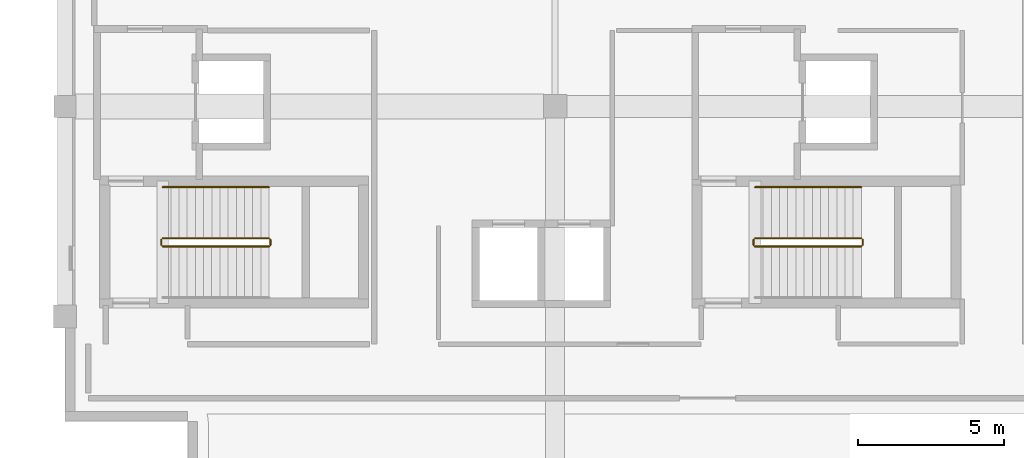
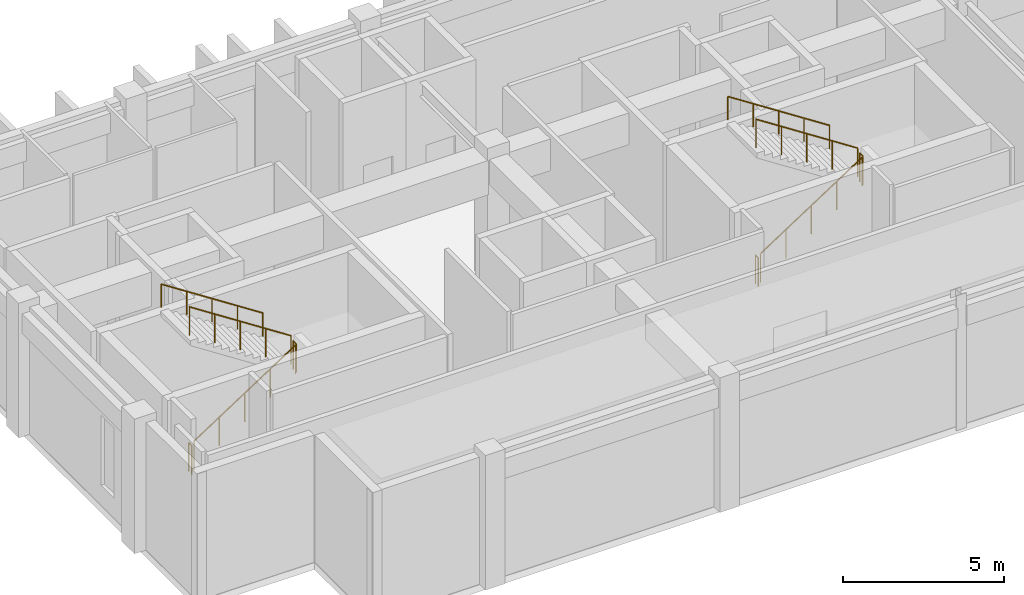
# One storey, part 33 of 34: 10 railings.
"""IFC4 building model written with IfcOpenShell, lengths in metres."""

from ifc_helpers import new_model, si_unit, direction, frame, origin, origin_2d, place, context, subcontext, project, spatial, circle, extrude, material, type_object, element, save


model = new_model("IFC4")

# Units and contexts
model_context = context("Model", 3, precision=1e-05, world=origin(), true_north=direction((0.0, 1.0)))
body_context = subcontext(model_context, "Body", "Model", "MODEL_VIEW")
ifc_project = project(units=[si_unit("LENGTHUNIT", "METRE"), si_unit("AREAUNIT", "SQUARE_METRE"), si_unit("VOLUMEUNIT", "CUBIC_METRE"), si_unit("PLANEANGLEUNIT", "RADIAN"), si_unit("MASSUNIT", "GRAM", prefix="KILO")], contexts=[model_context])

# Site, building, storey
site_placement = place(None, origin())
site = spatial("IfcSite", under=ifc_project, at=site_placement, CompositionType="ELEMENT")
building_placement = place(site_placement, origin())
building = spatial("IfcBuilding", under=site, at=building_placement, Name="Quendrovan Civic Courthouse", CompositionType="ELEMENT")
storey_placement = place(building_placement, frame((0.0, 0.0, 25.5)))
storey = spatial("IfcBuildingStorey", under=building, at=storey_placement, Name="L06", CompositionType="ELEMENT", Elevation=25.5)

# Railings
ifc_material_1 = material(Name="Painted galvanized steel", Category="steel")
railing_type_1 = type_object("IfcRailingType", Name="RL-STR-GUARD1100", PredefinedType="GUARDRAIL", material=ifc_material_1)
railing_1_placement = place(storey_placement, frame((36.949951171875, 97.199951171875, 0.18212890625)))
element("IfcRailing", 1, at=railing_1_placement, inside=storey, type_object=railing_type_1, Name="L06 ST1 stair guard 1", PredefinedType="GUARDRAIL", context=body_context, shape_type="SweptSolid", body=[
    extrude(circle(Radius=0.02392578125, at=origin_2d()), frame((0.0, 0.0, 1.076171875), z_axis=(0.83825089185, 0.0, 0.545284735081), x_axis=(0.0, 1.0, 0.0)), (0.0, 0.0, 1.0), 4.342529296875),
    extrude(circle(Radius=0.02099609375, at=origin_2d()), origin(), (0.0, 0.0, 1.0), 1.052001953125),
    extrude(circle(Radius=0.02099609375, at=origin_2d()), frame((0.91015625, 0.0, 0.592041015625)), (0.0, 0.0, 1.0), 1.052001953125),
    extrude(circle(Radius=0.02099609375, at=origin_2d()), frame((1.820068359375, 0.0, 1.18408203125)), (0.0, 0.0, 1.0), 1.052001953125),
    extrude(circle(Radius=0.02099609375, at=origin_2d()), frame((2.72998046875, 0.0, 1.77587890625)), (0.0, 0.0, 1.0), 1.052001953125),
    extrude(circle(Radius=0.02099609375, at=origin_2d()), frame((3.64013671875, 0.0, 2.367919921875)), (0.0, 0.0, 1.0), 1.052001953125),
])
railing_2_placement = place(storey_placement, frame((40.639892578125, 97.25, 2.550048828125)))
element("IfcRailing", 2, at=railing_2_placement, inside=storey, type_object=railing_type_1, Name="L06 ST1 stair guard 2", PredefinedType="GUARDRAIL", context=body_context, shape_type="SweptSolid", body=[
    extrude(circle(Radius=0.02392578125, at=origin_2d()), frame((0.0, 0.0, 1.076171875), z_axis=(0.0, 1.0, 0.0), x_axis=(-1.0, 0.0, 0.0)), (0.0, 0.0, 1.0), 0.179931640625),
    extrude(circle(Radius=0.02099609375, at=origin_2d()), origin(), (0.0, 0.0, 1.0), 1.052001953125),
    extrude(circle(Radius=0.02099609375, at=origin_2d()), frame((0.0, 0.179931640625, 0.0)), (0.0, 0.0, 1.0), 1.052001953125),
])
railing_3_placement = place(storey_placement, frame((40.590087890625, 97.47998046875, 2.732177734375)))
element("IfcRailing", 3, at=railing_3_placement, inside=storey, type_object=railing_type_1, Name="L06 ST1 stair guard 3", PredefinedType="GUARDRAIL", context=body_context, shape_type="SweptSolid", body=[
    extrude(circle(Radius=0.02392578125, at=origin_2d()), frame((0.0, 0.0, 1.076171875), z_axis=(-0.83825089185, 0.0, 0.545284735081), x_axis=(0.0, -1.0, 0.0)), (0.0, 0.0, 1.0), 4.342529296875),
    extrude(circle(Radius=0.02099609375, at=origin_2d()), origin(), (0.0, 0.0, 1.0), 1.052001953125),
    extrude(circle(Radius=0.02099609375, at=origin_2d()), frame((-0.91015625, 0.0, 0.592041015625)), (0.0, 0.0, 1.0), 1.052001953125),
    extrude(circle(Radius=0.02099609375, at=origin_2d()), frame((-1.820068359375, 0.0, 1.18408203125)), (0.0, 0.0, 1.0), 1.052001953125),
    extrude(circle(Radius=0.02099609375, at=origin_2d()), frame((-2.72998046875, 0.0, 1.77587890625)), (0.0, 0.0, 1.0), 1.052001953125),
    extrude(circle(Radius=0.02099609375, at=origin_2d()), frame((-3.64013671875, 0.0, 2.367919921875)), (0.0, 0.0, 1.0), 1.052001953125),
])
railing_4_placement = place(storey_placement, frame((36.89990234375, 97.25, 0.0)))
element("IfcRailing", 4, at=railing_4_placement, inside=storey, type_object=railing_type_1, Name="L06 ST1 stair guard 4", PredefinedType="GUARDRAIL", context=body_context, shape_type="SweptSolid", body=[
    extrude(circle(Radius=0.02392578125, at=origin_2d()), frame((0.0, 0.0, 1.076171875), z_axis=(0.0, 1.0, 0.0), x_axis=(-1.0, 0.0, 0.0)), (0.0, 0.0, 1.0), 0.179931640625),
    extrude(circle(Radius=0.02099609375, at=origin_2d()), origin(), (0.0, 0.0, 1.0), 1.052001953125),
    extrude(circle(Radius=0.02099609375, at=origin_2d()), frame((0.0, 0.179931640625, 0.0)), (0.0, 0.0, 1.0), 1.052001953125),
])
railing_5_placement = place(storey_placement, frame((57.25, 97.199951171875, 0.18212890625)))
element("IfcRailing", 5, at=railing_5_placement, inside=storey, type_object=railing_type_1, Name="L06 ST2 stair guard 1", PredefinedType="GUARDRAIL", context=body_context, shape_type="SweptSolid", body=[
    extrude(circle(Radius=0.02392578125, at=origin_2d()), frame((0.0, 0.0, 1.076171875), z_axis=(0.838234174257, 0.0, 0.545310433706), x_axis=(0.0, 1.0, 0.0)), (0.0, 0.0, 1.0), 4.34228515625),
    extrude(circle(Radius=0.02099609375, at=origin_2d()), origin(), (0.0, 0.0, 1.0), 1.052001953125),
    extrude(circle(Radius=0.02099609375, at=origin_2d()), frame((0.909912109375, 0.0, 0.592041015625)), (0.0, 0.0, 1.0), 1.052001953125),
    extrude(circle(Radius=0.02099609375, at=origin_2d()), frame((1.81982421875, 0.0, 1.18408203125)), (0.0, 0.0, 1.0), 1.052001953125),
    extrude(circle(Radius=0.02099609375, at=origin_2d()), frame((2.72998046875, 0.0, 1.77587890625)), (0.0, 0.0, 1.0), 1.052001953125),
    extrude(circle(Radius=0.02099609375, at=origin_2d()), frame((3.639892578125, 0.0, 2.367919921875)), (0.0, 0.0, 1.0), 1.052001953125),
])
railing_6_placement = place(storey_placement, frame((60.93994140625, 97.25, 2.550048828125)))
element("IfcRailing", 6, at=railing_6_placement, inside=storey, type_object=railing_type_1, Name="L06 ST2 stair guard 2", PredefinedType="GUARDRAIL", context=body_context, shape_type="SweptSolid", body=[
    extrude(circle(Radius=0.02392578125, at=origin_2d()), frame((0.0, 0.0, 1.076171875), z_axis=(0.0, 1.0, 0.0), x_axis=(-1.0, 0.0, 0.0)), (0.0, 0.0, 1.0), 0.179931640625),
    extrude(circle(Radius=0.02099609375, at=origin_2d()), origin(), (0.0, 0.0, 1.0), 1.052001953125),
    extrude(circle(Radius=0.02099609375, at=origin_2d()), frame((0.0, 0.179931640625, 0.0)), (0.0, 0.0, 1.0), 1.052001953125),
])
railing_7_placement = place(storey_placement, frame((60.889892578125, 97.47998046875, 2.732177734375)))
element("IfcRailing", 7, at=railing_7_placement, inside=storey, type_object=railing_type_1, Name="L06 ST2 stair guard 3", PredefinedType="GUARDRAIL", context=body_context, shape_type="SweptSolid", body=[
    extrude(circle(Radius=0.02392578125, at=origin_2d()), frame((0.0, 0.0, 1.076171875), z_axis=(-0.838234174257, 0.0, 0.545310433706), x_axis=(0.0, -1.0, 0.0)), (0.0, 0.0, 1.0), 4.34228515625),
    extrude(circle(Radius=0.02099609375, at=origin_2d()), origin(), (0.0, 0.0, 1.0), 1.052001953125),
    extrude(circle(Radius=0.02099609375, at=origin_2d()), frame((-0.909912109375, 0.0, 0.592041015625)), (0.0, 0.0, 1.0), 1.052001953125),
    extrude(circle(Radius=0.02099609375, at=origin_2d()), frame((-1.81982421875, 0.0, 1.18408203125)), (0.0, 0.0, 1.0), 1.052001953125),
    extrude(circle(Radius=0.02099609375, at=origin_2d()), frame((-2.72998046875, 0.0, 1.77587890625)), (0.0, 0.0, 1.0), 1.052001953125),
    extrude(circle(Radius=0.02099609375, at=origin_2d()), frame((-3.639892578125, 0.0, 2.367919921875)), (0.0, 0.0, 1.0), 1.052001953125),
])
railing_8_placement = place(storey_placement, frame((57.199951171875, 97.25, 0.0)))
element("IfcRailing", 8, at=railing_8_placement, inside=storey, type_object=railing_type_1, Name="L06 ST2 stair guard 4", PredefinedType="GUARDRAIL", context=body_context, shape_type="SweptSolid", body=[
    extrude(circle(Radius=0.02392578125, at=origin_2d()), frame((0.0, 0.0, 1.076171875), z_axis=(0.0, 1.0, 0.0), x_axis=(-1.0, 0.0, 0.0)), (0.0, 0.0, 1.0), 0.179931640625),
    extrude(circle(Radius=0.02099609375, at=origin_2d()), origin(), (0.0, 0.0, 1.0), 1.052001953125),
    extrude(circle(Radius=0.02099609375, at=origin_2d()), frame((0.0, 0.179931640625, 0.0)), (0.0, 0.0, 1.0), 1.052001953125),
])
ifc_material_2 = material(Name="Bronze anodised aluminium", Category="aluminium")
railing_type_2 = type_object("IfcRailingType", Name="RL-STR-HAND900", PredefinedType="HANDRAIL", material=ifc_material_2)
railing_9_placement = place(storey_placement, frame((40.590087890625, 99.22998046875, 2.732177734375)))
element("IfcRailing", 9, at=railing_9_placement, inside=storey, type_object=railing_type_2, Name="L06 ST1 stair handrail 2", PredefinedType="HANDRAIL", context=body_context, shape_type="SweptSolid", body=[
    extrude(circle(Radius=0.02392578125, at=origin_2d()), frame((0.0, 0.0, 0.8759765625), z_axis=(-0.83825089185, 0.0, 0.545284735081), x_axis=(0.0, -1.0, 0.0)), (0.0, 0.0, 1.0), 4.342529296875),
    extrude(circle(Radius=0.02099609375, at=origin_2d()), origin(), (0.0, 0.0, 1.0), 0.851806640625),
    extrude(circle(Radius=0.02099609375, at=origin_2d()), frame((-0.91015625, 0.0, 0.592041015625)), (0.0, 0.0, 1.0), 0.851806640625),
    extrude(circle(Radius=0.02099609375, at=origin_2d()), frame((-1.820068359375, 0.0, 1.18408203125)), (0.0, 0.0, 1.0), 0.851806640625),
    extrude(circle(Radius=0.02099609375, at=origin_2d()), frame((-2.72998046875, 0.0, 1.77587890625)), (0.0, 0.0, 1.0), 0.851806640625),
    extrude(circle(Radius=0.02099609375, at=origin_2d()), frame((-3.64013671875, 0.0, 2.367919921875)), (0.0, 0.0, 1.0), 0.851806640625),
])
railing_10_placement = place(storey_placement, frame((60.889892578125, 99.22998046875, 2.732177734375)))
element("IfcRailing", 10, at=railing_10_placement, inside=storey, type_object=railing_type_2, Name="L06 ST2 stair handrail 2", PredefinedType="HANDRAIL", context=body_context, shape_type="SweptSolid", body=[
    extrude(circle(Radius=0.02392578125, at=origin_2d()), frame((0.0, 0.0, 0.8759765625), z_axis=(-0.838234174257, 0.0, 0.545310433706), x_axis=(0.0, -1.0, 0.0)), (0.0, 0.0, 1.0), 4.34228515625),
    extrude(circle(Radius=0.02099609375, at=origin_2d()), origin(), (0.0, 0.0, 1.0), 0.851806640625),
    extrude(circle(Radius=0.02099609375, at=origin_2d()), frame((-0.909912109375, 0.0, 0.592041015625)), (0.0, 0.0, 1.0), 0.851806640625),
    extrude(circle(Radius=0.02099609375, at=origin_2d()), frame((-1.81982421875, 0.0, 1.18408203125)), (0.0, 0.0, 1.0), 0.851806640625),
    extrude(circle(Radius=0.02099609375, at=origin_2d()), frame((-2.72998046875, 0.0, 1.77587890625)), (0.0, 0.0, 1.0), 0.851806640625),
    extrude(circle(Radius=0.02099609375, at=origin_2d()), frame((-3.639892578125, 0.0, 2.367919921875)), (0.0, 0.0, 1.0), 0.851806640625),
])

save(model, "model.ifc")
